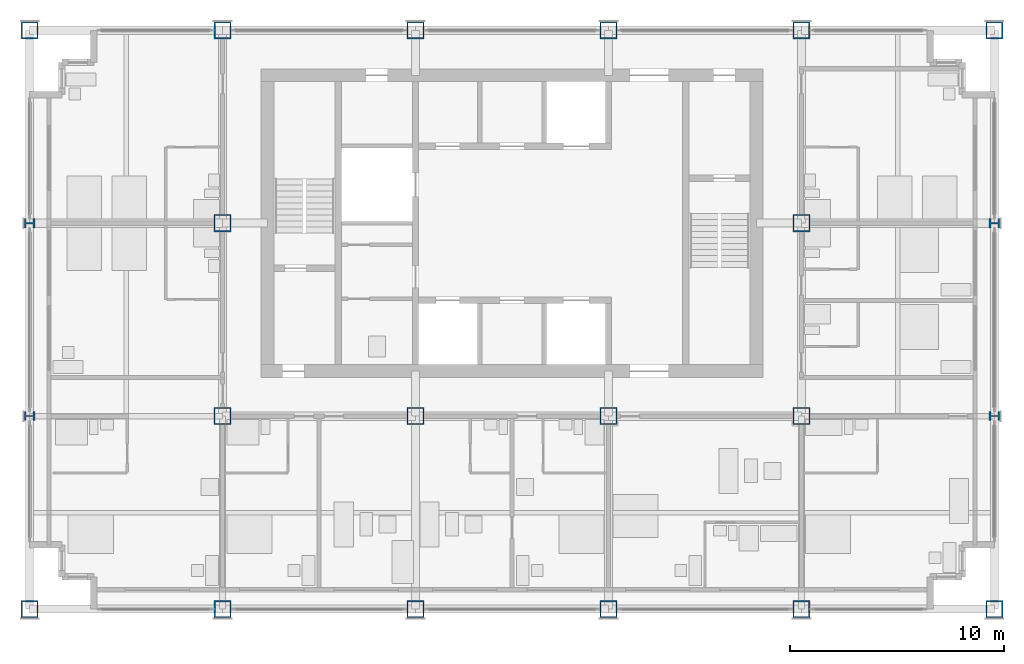
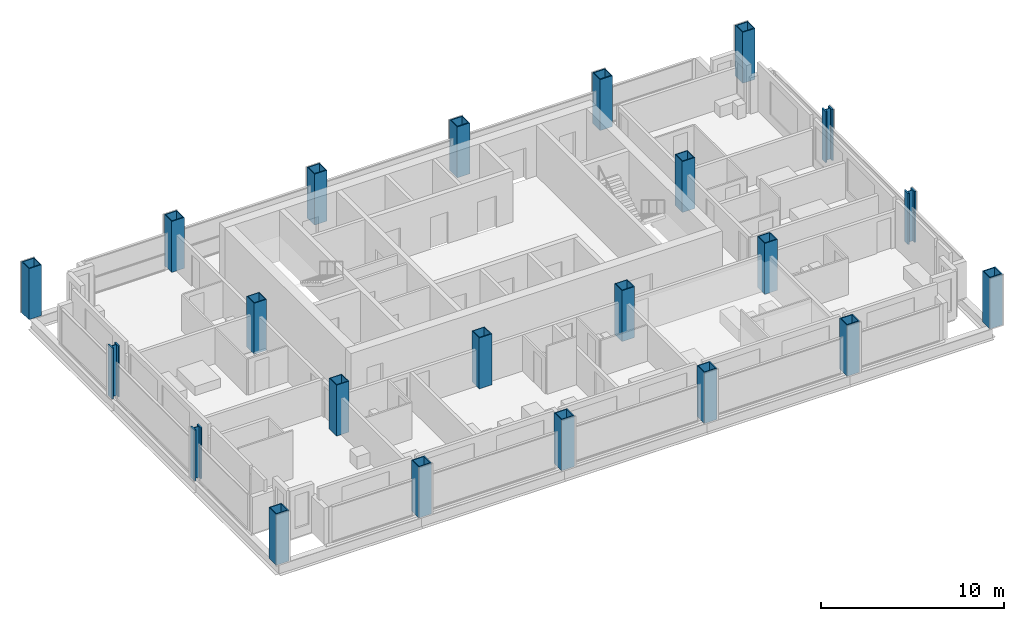
# One storey, part 1 of 13: 22 columns.
"""IFC4 building model written with IfcOpenShell, lengths in metres."""

from ifc_helpers import new_model, si_unit, direction, frame, origin, origin_2d, place, context, subcontext, project, spatial, hollow_rectangle, i_section, extrude, material, material_profile, profile_set, type_object, element, save


model = new_model("IFC4")

# Units and contexts
model_context = context("Model", 3, precision=1e-05, world=origin(), true_north=direction((0.0, 1.0)))
body_context = subcontext(model_context, "Body", "Model", "MODEL_VIEW")
ifc_project = project(units=[si_unit("LENGTHUNIT", "METRE"), si_unit("AREAUNIT", "SQUARE_METRE"), si_unit("VOLUMEUNIT", "CUBIC_METRE"), si_unit("PLANEANGLEUNIT", "RADIAN"), si_unit("MASSUNIT", "GRAM", prefix="KILO")], contexts=[model_context])

# Site, building, storey
site_placement = place(None, origin())
site = spatial("IfcSite", under=ifc_project, at=site_placement, CompositionType="ELEMENT")
building_placement = place(site_placement, origin())
building = spatial("IfcBuilding", under=site, at=building_placement, Name="Loomwork Tower", CompositionType="ELEMENT")
storey_placement = place(building_placement, frame((0.0, 0.0, 194.39990234375)))
storey = spatial("IfcBuildingStorey", under=building, at=storey_placement, Name="L53", CompositionType="ELEMENT", Elevation=194.39990234375)

# Columns
ifc_material_1 = material(Name="Steel ASTM A572 Grade 50 plate", Category="steel")
ifc_material_profile_1 = material_profile(ifc_material_1, hollow_rectangle(XDim=0.800048828125, YDim=0.800048828125, WallThickness=0.06005859375, at=origin_2d()), Name="BOX800x60")
ifc_profile_set_1 = profile_set([ifc_material_profile_1], Name="Steel ASTM A572 Grade 50 plate")
column_type_1 = type_object("IfcColumnType", Name="EXOSKELETON PIER BOX800x60", PredefinedType="COLUMN", material=ifc_profile_set_1)
for number, where, z_axis, x_axis, name in (
    (1, (0.0, 0.0, 0.0), (0.0, 0.0, 1.0), (1.0, 0.0, 0.0), "Exoskeleton Pier D/2 L53"),
    (2, (0.0, 27.0, 0.0), (0.0, 0.0, 1.0), (0.0, 1.0, 0.0), "Exoskeleton Pier G/2 L53"),
    (3, (9.0, 0.0, 0.0), (0.0, 0.0, 1.0), (1.0, 0.0, 0.0), "Exoskeleton Pier D/3 L53"),
    (4, (9.0, 27.0, 0.0), (0.0, 0.0, 1.0), (1.0, 0.0, 0.0), "Exoskeleton Pier G/3 L53"),
    (5, (18.0, 0.0, 0.0), (0.0, 0.0, 1.0), (1.0, 0.0, 0.0), "Exoskeleton Pier D/4 L53"),
    (6, (18.0, 27.0, 0.0), (0.0, 0.0, 1.0), (1.0, 0.0, 0.0), "Exoskeleton Pier G/4 L53"),
    (7, (27.0, 0.0, 0.0), (0.0, 0.0, 1.0), (1.0, 0.0, 0.0), "Exoskeleton Pier D/5 L53"),
    (8, (27.0, 27.0, 0.0), (0.0, 0.0, 1.0), (1.0, 0.0, 0.0), "Exoskeleton Pier G/5 L53"),
    (9, (36.0, 0.0, 0.0), (0.0, 0.0, 1.0), (1.0, 0.0, 0.0), "Exoskeleton Pier D/6 L53"),
    (10, (36.0, 27.0, 0.0), (0.0, 0.0, 1.0), (1.0, 0.0, 0.0), "Exoskeleton Pier G/6 L53"),
    (11, (45.0, 0.0, 0.0), (0.0, 0.0, 1.0), (1.0, 0.0, 0.0), "Exoskeleton Pier D/7 L53"),
    (12, (45.0, 27.0, 0.0), (0.0, 0.0, 1.0), (0.0, 1.0, 0.0), "Exoskeleton Pier G/7 L53"),
):
    element("IfcColumn", number, at=place(storey_placement, frame(where, z_axis=z_axis, x_axis=x_axis)), inside=storey, type_object=column_type_1, Name=name, PredefinedType="COLUMN", context=body_context, shape_type="SweptSolid", body=[
        extrude(hollow_rectangle(XDim=0.800048828125, YDim=0.800048828125, WallThickness=0.06005859375, at=origin_2d()), origin(), (0.0, 0.0, 1.0), 3.400146484375),
    ])
ifc_material_2 = material(Name="Steel ASTM A992", Category="steel")
ifc_material_profile_2 = material_profile(ifc_material_2, i_section(OverallWidth=0.4267578125, OverallDepth=0.482666015625, WebThickness=0.05126953125, FlangeThickness=0.08154296875, at=origin_2d()), Name="W14x455")
ifc_profile_set_2 = profile_set([ifc_material_profile_2], Name="Steel ASTM A992")
column_type_2 = type_object("IfcColumnType", Name="EXOSKELETON PIER W14x455", PredefinedType="COLUMN", material=ifc_profile_set_2)
for number, where, z_axis, x_axis, name in (
    (13, (0.0, 9.0, 0.0), (0.0, 0.0, 1.0), (0.0, 1.0, 0.0), "Exoskeleton Pier E/2 L53"),
    (14, (0.0, 18.0, 0.0), (0.0, 0.0, 1.0), (0.0, 1.0, 0.0), "Exoskeleton Pier F/2 L53"),
    (15, (45.0, 9.0, 0.0), (0.0, 0.0, 1.0), (0.0, 1.0, 0.0), "Exoskeleton Pier E/7 L53"),
    (16, (45.0, 18.0, 0.0), (0.0, 0.0, 1.0), (0.0, 1.0, 0.0), "Exoskeleton Pier F/7 L53"),
):
    element("IfcColumn", number, at=place(storey_placement, frame(where, z_axis=z_axis, x_axis=x_axis)), inside=storey, type_object=column_type_2, Name=name, PredefinedType="COLUMN", context=body_context, shape_type="SweptSolid", body=[
        extrude(i_section(OverallWidth=0.4267578125, OverallDepth=0.482666015625, WebThickness=0.05126953125, FlangeThickness=0.08154296875, at=origin_2d()), origin(), (0.0, 0.0, 1.0), 3.400146484375),
    ])
ifc_material_3 = material(Name="Steel ASTM A572 Grade 50 plate", Category="steel")
ifc_material_profile_3 = material_profile(ifc_material_3, hollow_rectangle(XDim=0.800048828125, YDim=0.800048828125, WallThickness=0.050048828125, at=origin_2d()), Name="BOX800x50")
ifc_profile_set_3 = profile_set([ifc_material_profile_3], Name="Steel ASTM A572 Grade 50 plate")
column_type_3 = type_object("IfcColumnType", Name="TOWER COLUMN BOX800x50", PredefinedType="COLUMN", material=ifc_profile_set_3)
for number, where, z_axis, x_axis, name in (
    (17, (9.0, 9.0, 0.0), (0.0, 0.0, 1.0), (1.0, 0.0, 0.0), "Tower Column E/3 L53"),
    (18, (9.0, 18.0, 0.0), (0.0, 0.0, 1.0), (1.0, 0.0, 0.0), "Tower Column F/3 L53"),
    (19, (18.0, 9.0, 0.0), (0.0, 0.0, 1.0), (1.0, 0.0, 0.0), "Tower Column E/4 L53"),
    (20, (27.0, 9.0, 0.0), (0.0, 0.0, 1.0), (1.0, 0.0, 0.0), "Tower Column E/5 L53"),
    (21, (36.0, 9.0, 0.0), (0.0, 0.0, 1.0), (0.0, 1.0, 0.0), "Tower Column E/6 L53"),
    (22, (36.0, 18.0, 0.0), (0.0, 0.0, 1.0), (0.0, 1.0, 0.0), "Tower Column F/6 L53"),
):
    element("IfcColumn", number, at=place(storey_placement, frame(where, z_axis=z_axis, x_axis=x_axis)), inside=storey, type_object=column_type_3, Name=name, PredefinedType="COLUMN", context=body_context, shape_type="SweptSolid", body=[
        extrude(hollow_rectangle(XDim=0.800048828125, YDim=0.800048828125, WallThickness=0.050048828125, at=origin_2d()), origin(), (0.0, 0.0, 1.0), 3.400146484375),
    ])

save(model, "model.ifc")
